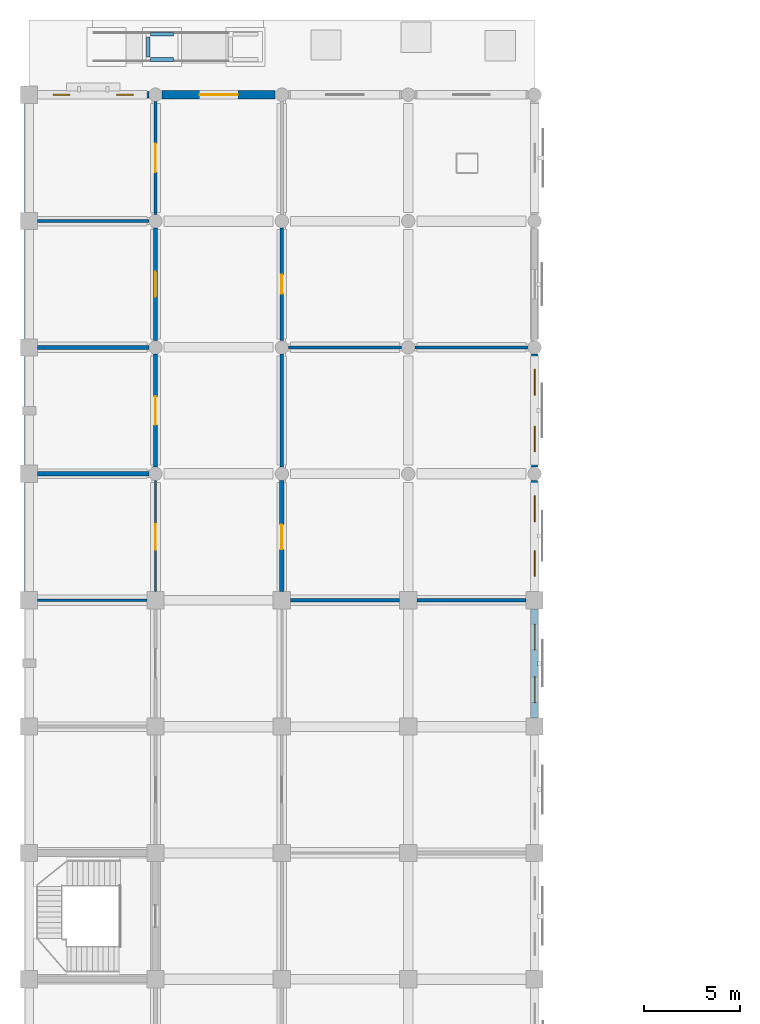
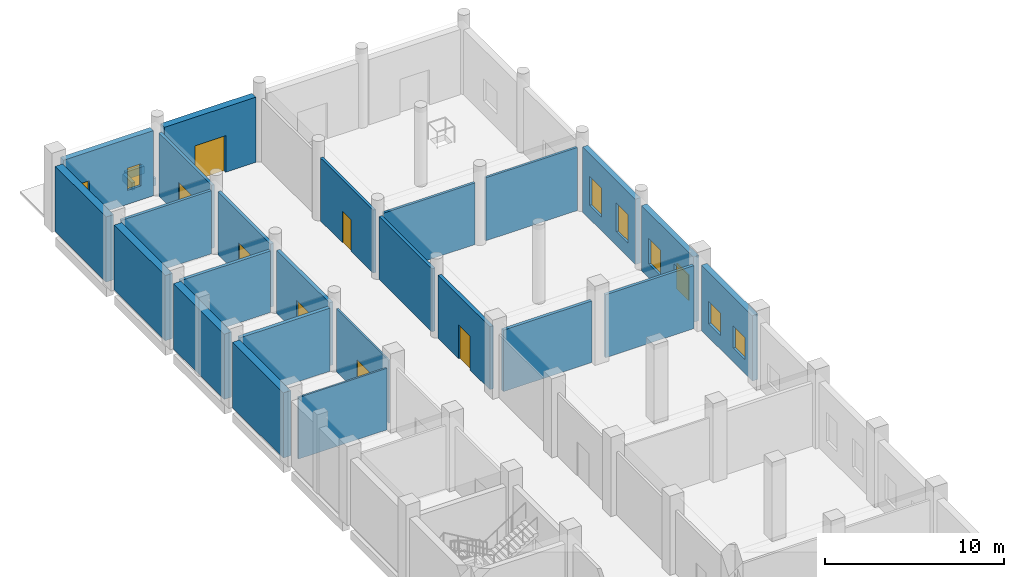
# One storey, part 17 of 28: 27 walls, 8 windows, 7 doors, 15 openings.
"""IFC4 building model written with IfcOpenShell, lengths in metres."""

from ifc_helpers import new_model, si_unit, direction, frame, frame_2d, origin, place, context, subcontext, project, spatial, rectangle, extrude, material, layer, layer_set, type_object, element, fill, save


model = new_model("IFC4")

# Units and contexts
model_context = context("Model", 3, precision=1e-05, world=origin(), true_north=direction((0.0, 1.0)))
body_context = subcontext(model_context, "Body", "Model", "MODEL_VIEW")
ifc_project = project(units=[si_unit("LENGTHUNIT", "METRE"), si_unit("AREAUNIT", "SQUARE_METRE"), si_unit("VOLUMEUNIT", "CUBIC_METRE"), si_unit("PLANEANGLEUNIT", "RADIAN"), si_unit("MASSUNIT", "GRAM", prefix="KILO")], contexts=[model_context])

# Site, building, storey
site_placement = place(None, origin())
site = spatial("IfcSite", under=ifc_project, at=site_placement, CompositionType="ELEMENT")
building_placement = place(site_placement, origin())
building = spatial("IfcBuilding", under=site, at=building_placement, Name="Rusizi Kubbe Research Institute", CompositionType="ELEMENT")
storey_placement = place(building_placement, origin())
storey = spatial("IfcBuildingStorey", under=building, at=storey_placement, Name="L00", CompositionType="ELEMENT", Elevation=0.0)

# Wall, opening, door
ifc_material_1 = material(Name="Volcanic Basalt Ashlar Masonry", Category="masonry")
ifc_layer_1 = layer(ifc_material_1, 0.43994140625)
ifc_layer_set_1 = layer_set([ifc_layer_1], Name="Volcanic Basalt Ashlar Masonry")
wall_type_1 = type_object("IfcWallType", Name="EW-01", PredefinedType="SOLIDWALL", material=ifc_layer_set_1)
wall_1_placement = place(storey_placement, frame((6.949951171875, 171.60009765625, 0.0), z_axis=(0.0, 0.0, 1.0), x_axis=(1.0, 0.0, 0.0)))
wall_1 = element("IfcWall", 1, at=wall_1_placement, inside=storey, type_object=wall_type_1, Name="Portal Vestibule Infill Wall E1", PredefinedType="SOLIDWALL", context=body_context, shape_type="SweptSolid", body=[
    extrude(rectangle(XDim=5.900146484375, YDim=0.43994140625, at=frame_2d((2.9501953125, 0.0))), origin(), (0.0, 0.0, 1.0), 4.449951171875),
])
opening_1_placement = place(wall_1_placement, frame((1.949951171875, 0.0, 0.0)))
opening_1 = element("IfcOpeningElement", 2, at=opening_1_placement, cuts=wall_1, Name="Opening D-31", PredefinedType="OPENING", context=body_context, shape_type="SweptSolid", body=[
    extrude(rectangle(XDim=2.0, YDim=2.5, at=frame_2d((1.0, 1.25))), frame((0.0, 0.22998046875, 0.0), z_axis=(0.0, -1.0, 0.0), x_axis=(1.0, 0.0, 0.0)), (0.0, 0.0, 1.0), 0.4599609375),
])
ifc_material_2 = material(Name="Insulated Steel and Laminated Safety Glass", Category="steel")
door_type_1 = type_object("IfcDoorType", Name="ED-01", OperationType="DOUBLE_DOOR_SINGLE_SWING", PredefinedType="DOOR", material=ifc_material_2)
door_1_placement = place(opening_1_placement, origin())
door_1 = element("IfcDoor", 3, at=door_1_placement, inside=storey, type_object=door_type_1, Name="Main Entrance North Street Exit Door D-31", OperationType="DOUBLE_DOOR_SINGLE_SWING", OverallHeight=2.5, OverallWidth=2.0, PredefinedType="DOOR", context=body_context, shape_type="SweptSolid", body=[
    extrude(rectangle(XDim=2.0, YDim=2.5, at=frame_2d((1.0, 1.25))), frame((0.0, 0.02490234375, 0.0), z_axis=(0.0, -1.0, 0.0), x_axis=(1.0, 0.0, 0.0)), (0.0, 0.0, 1.0), 0.050048828125),
])
fill(opening_1, door_1)

# Wall, openings, windows
ifc_material_3 = material(Name="Volcanic Basalt Ashlar Masonry", Category="masonry")
ifc_layer_2 = layer(ifc_material_3, 0.3701171875)
ifc_layer_set_2 = layer_set([ifc_layer_2], Name="Volcanic Basalt Ashlar Masonry")
wall_type_2 = type_object("IfcWallType", Name="EW-05", PredefinedType="SOLIDWALL", material=ifc_layer_set_2)
wall_2_placement = place(storey_placement, frame((26.39990234375, 139.050048828125, 0.0), z_axis=(0.0, 0.0, 1.0), x_axis=(0.0, 1.0, 0.0)))
wall_2 = element("IfcWall", 4, at=wall_2_placement, inside=storey, type_object=wall_type_2, Name="Ablaq Stone Exterior Wall L00 V4-21", PredefinedType="SOLIDWALL", context=body_context, shape_type="SweptSolid", body=[
    extrude(rectangle(XDim=5.699951171875, YDim=0.3701171875, at=frame_2d((2.85009765625, 0.0))), origin(), (0.0, 0.0, 1.0), 4.449951171875),
])
opening_2_placement = place(wall_2_placement, frame((0.800048828125, 0.0, 0.949951171875)))
opening_2 = element("IfcOpeningElement", 5, at=opening_2_placement, cuts=wall_2, Name="Opening WN-14", PredefinedType="OPENING", context=body_context, shape_type="SweptSolid", body=[
    extrude(rectangle(XDim=1.340087890625, YDim=1.52001953125, at=frame_2d((0.669921875, 0.760009765625))), frame((0.0, 0.195068359375, 0.0), z_axis=(0.0, -1.0, 0.0), x_axis=(1.0, 0.0, 0.0)), (0.0, 0.0, 1.0), 0.39013671875),
])
opening_3_placement = place(wall_2_placement, frame((3.56005859375, 0.0, 0.949951171875)))
opening_3 = element("IfcOpeningElement", 6, at=opening_3_placement, cuts=wall_2, Name="Opening WN-14", PredefinedType="OPENING", context=body_context, shape_type="SweptSolid", body=[
    extrude(rectangle(XDim=1.340087890625, YDim=1.52001953125, at=frame_2d((0.669921875, 0.760009765625))), frame((0.0, 0.195068359375, 0.0), z_axis=(0.0, -1.0, 0.0), x_axis=(1.0, 0.0, 0.0)), (0.0, 0.0, 1.0), 0.39013671875),
])
ifc_material_4 = material(Name="Aluminium Frame and Solar-Control Double Glazing", Category="glass")
window_type_1 = type_object("IfcWindowType", Name="WN-14", PartitioningType="SINGLE_PANEL", PredefinedType="WINDOW", material=ifc_material_4)
window_1_placement = place(opening_2_placement, origin())
window_1 = element("IfcWindow", 7, at=window_1_placement, inside=storey, type_object=window_type_1, Name="Casement Window WN-14 L00", OverallHeight=1.52001953125, OverallWidth=1.340087890625, PartitioningType="SINGLE_PANEL", PredefinedType="WINDOW", context=body_context, shape_type="SweptSolid", body=[
    extrude(rectangle(XDim=1.340087890625, YDim=1.52001953125, at=frame_2d((0.669921875, 0.760009765625))), frame((0.0, 0.030029296875, 0.0), z_axis=(0.0, -1.0, 0.0), x_axis=(1.0, 0.0, 0.0)), (0.0, 0.0, 1.0), 0.06005859375),
])
fill(opening_2, window_1)
window_2_placement = place(opening_3_placement, origin())
window_2 = element("IfcWindow", 8, at=window_2_placement, inside=storey, type_object=window_type_1, Name="Casement Window WN-14 L00", OverallHeight=1.52001953125, OverallWidth=1.340087890625, PartitioningType="SINGLE_PANEL", PredefinedType="WINDOW", context=body_context, shape_type="SweptSolid", body=[
    extrude(rectangle(XDim=1.340087890625, YDim=1.52001953125, at=frame_2d((0.669921875, 0.760009765625))), frame((0.0, 0.030029296875, 0.0), z_axis=(0.0, -1.0, 0.0), x_axis=(1.0, 0.0, 0.0)), (0.0, 0.0, 1.0), 0.06005859375),
])
fill(opening_3, window_2)

ifc_material_5 = material(Name="Volcanic Basalt Ashlar Masonry", Category="masonry")
ifc_layer_3 = layer(ifc_material_5, 0.35498046875)
ifc_layer_set_3 = layer_set([ifc_layer_3], Name="Volcanic Basalt Ashlar Masonry")
wall_type_3 = type_object("IfcWallType", Name="EW-06", PredefinedType="SOLIDWALL", material=ifc_layer_set_3)
wall_3_placement = place(storey_placement, frame((0.449951171875, 171.60009765625, 0.0), z_axis=(0.0, 0.0, 1.0), x_axis=(1.0, 0.0, 0.0)))
wall_3 = element("IfcWall", 9, at=wall_3_placement, inside=storey, type_object=wall_type_3, Name="Ablaq Stone Exterior Wall L00 H0-26", PredefinedType="SOLIDWALL", context=body_context, shape_type="SweptSolid", body=[
    extrude(rectangle(XDim=5.800048828125, YDim=0.35498046875, at=frame_2d((2.89990234375, 0.0))), origin(), (0.0, 0.0, 1.0), 4.449951171875),
])
opening_4_placement = place(wall_3_placement, frame((0.800048828125, 0.0, 0.949951171875)))
opening_4 = element("IfcOpeningElement", 10, at=opening_4_placement, cuts=wall_3, Name="Opening WN-02", PredefinedType="OPENING", context=body_context, shape_type="SweptSolid", body=[
    extrude(rectangle(XDim=0.8798828125, YDim=1.52001953125, at=frame_2d((0.43994140625, 0.760009765625))), frame((0.0, 0.1875, 0.0), z_axis=(0.0, -1.0, 0.0), x_axis=(1.0, 0.0, 0.0)), (0.0, 0.0, 1.0), 0.375),
])
opening_5_placement = place(wall_3_placement, frame((4.1201171875, 0.0, 0.949951171875)))
opening_5 = element("IfcOpeningElement", 11, at=opening_5_placement, cuts=wall_3, Name="Opening WN-02", PredefinedType="OPENING", context=body_context, shape_type="SweptSolid", body=[
    extrude(rectangle(XDim=0.8798828125, YDim=1.52001953125, at=frame_2d((0.43994140625, 0.760009765625))), frame((0.0, 0.1875, 0.0), z_axis=(0.0, -1.0, 0.0), x_axis=(1.0, 0.0, 0.0)), (0.0, 0.0, 1.0), 0.375),
])
ifc_material_6 = material(Name="Aluminium Frame and Solar-Control Double Glazing", Category="glass")
window_type_2 = type_object("IfcWindowType", Name="WN-02", PartitioningType="SINGLE_PANEL", PredefinedType="WINDOW", material=ifc_material_6)
window_3_placement = place(opening_4_placement, origin())
window_3 = element("IfcWindow", 12, at=window_3_placement, inside=storey, type_object=window_type_2, Name="Casement Window WN-02 L00", OverallHeight=1.52001953125, OverallWidth=0.8798828125, PartitioningType="SINGLE_PANEL", PredefinedType="WINDOW", context=body_context, shape_type="SweptSolid", body=[
    extrude(rectangle(XDim=0.8798828125, YDim=1.52001953125, at=frame_2d((0.43994140625, 0.760009765625))), frame((0.0, 0.030029296875, 0.0), z_axis=(0.0, -1.0, 0.0), x_axis=(1.0, 0.0, 0.0)), (0.0, 0.0, 1.0), 0.06005859375),
])
fill(opening_4, window_3)
window_4_placement = place(opening_5_placement, origin())
window_4 = element("IfcWindow", 13, at=window_4_placement, inside=storey, type_object=window_type_2, Name="Casement Window WN-02 L00", OverallHeight=1.52001953125, OverallWidth=0.8798828125, PartitioningType="SINGLE_PANEL", PredefinedType="WINDOW", context=body_context, shape_type="SweptSolid", body=[
    extrude(rectangle(XDim=0.8798828125, YDim=1.52001953125, at=frame_2d((0.43994140625, 0.760009765625))), frame((0.0, 0.030029296875, 0.0), z_axis=(0.0, -1.0, 0.0), x_axis=(1.0, 0.0, 0.0)), (0.0, 0.0, 1.0), 0.06005859375),
])
fill(opening_5, window_4)

wall_4_placement = place(storey_placement, frame((26.39990234375, 145.64990234375, 0.0), z_axis=(0.0, 0.0, 1.0), x_axis=(0.0, 1.0, 0.0)))
wall_4 = element("IfcWall", 14, at=wall_4_placement, inside=storey, type_object=wall_type_3, Name="Ablaq Stone Exterior Wall L00 V4-22", PredefinedType="SOLIDWALL", context=body_context, shape_type="SweptSolid", body=[
    extrude(rectangle(XDim=5.800048828125, YDim=0.35498046875, at=frame_2d((2.89990234375, 0.0))), origin(), (0.0, 0.0, 1.0), 4.449951171875),
])
opening_6_placement = place(wall_4_placement, frame((0.800048828125, 0.0, 0.949951171875)))
opening_6 = element("IfcOpeningElement", 15, at=opening_6_placement, cuts=wall_4, Name="Opening WN-15", PredefinedType="OPENING", context=body_context, shape_type="SweptSolid", body=[
    extrude(rectangle(XDim=1.340087890625, YDim=1.739990234375, at=frame_2d((0.669921875, 0.8701171875))), frame((0.0, 0.1875, 0.0), z_axis=(0.0, -1.0, 0.0), x_axis=(1.0, 0.0, 0.0)), (0.0, 0.0, 1.0), 0.375),
])
opening_7_placement = place(wall_4_placement, frame((3.659912109375, 0.0, 0.949951171875)))
opening_7 = element("IfcOpeningElement", 16, at=opening_7_placement, cuts=wall_4, Name="Opening WN-15", PredefinedType="OPENING", context=body_context, shape_type="SweptSolid", body=[
    extrude(rectangle(XDim=1.340087890625, YDim=1.739990234375, at=frame_2d((0.669921875, 0.8701171875))), frame((0.0, 0.1875, 0.0), z_axis=(0.0, -1.0, 0.0), x_axis=(1.0, 0.0, 0.0)), (0.0, 0.0, 1.0), 0.375),
])
ifc_material_7 = material(Name="Aluminium Frame and Solar-Control Double Glazing", Category="glass")
window_type_3 = type_object("IfcWindowType", Name="WN-15", PartitioningType="SINGLE_PANEL", PredefinedType="WINDOW", material=ifc_material_7)
window_5_placement = place(opening_6_placement, origin())
window_5 = element("IfcWindow", 17, at=window_5_placement, inside=storey, type_object=window_type_3, Name="Casement Window WN-15 L00", OverallHeight=1.739990234375, OverallWidth=1.340087890625, PartitioningType="SINGLE_PANEL", PredefinedType="WINDOW", context=body_context, shape_type="SweptSolid", body=[
    extrude(rectangle(XDim=1.340087890625, YDim=1.739990234375, at=frame_2d((0.669921875, 0.8701171875))), frame((0.0, 0.030029296875, 0.0), z_axis=(0.0, -1.0, 0.0), x_axis=(1.0, 0.0, 0.0)), (0.0, 0.0, 1.0), 0.06005859375),
])
fill(opening_6, window_5)
window_6_placement = place(opening_7_placement, origin())
window_6 = element("IfcWindow", 18, at=window_6_placement, inside=storey, type_object=window_type_3, Name="Casement Window WN-15 L00", OverallHeight=1.739990234375, OverallWidth=1.340087890625, PartitioningType="SINGLE_PANEL", PredefinedType="WINDOW", context=body_context, shape_type="SweptSolid", body=[
    extrude(rectangle(XDim=1.340087890625, YDim=1.739990234375, at=frame_2d((0.669921875, 0.8701171875))), frame((0.0, 0.030029296875, 0.0), z_axis=(0.0, -1.0, 0.0), x_axis=(1.0, 0.0, 0.0)), (0.0, 0.0, 1.0), 0.06005859375),
])
fill(opening_7, window_6)

ifc_material_8 = material(Name="Volcanic Basalt Ashlar Masonry", Category="masonry")
ifc_layer_4 = layer(ifc_material_8, 0.340087890625)
ifc_layer_set_4 = layer_set([ifc_layer_4], Name="Volcanic Basalt Ashlar Masonry")
wall_type_4 = type_object("IfcWallType", Name="EW-07", PredefinedType="SOLIDWALL", material=ifc_layer_set_4)
wall_5_placement = place(storey_placement, frame((26.39990234375, 152.14990234375, 0.0), z_axis=(0.0, 0.0, 1.0), x_axis=(0.0, 1.0, 0.0)))
wall_5 = element("IfcWall", 19, at=wall_5_placement, inside=storey, type_object=wall_type_4, Name="Ablaq Stone Exterior Wall L00 V4-23", PredefinedType="SOLIDWALL", context=body_context, shape_type="SweptSolid", body=[
    extrude(rectangle(XDim=5.900146484375, YDim=0.340087890625, at=frame_2d((2.9501953125, 0.0))), origin(), (0.0, 0.0, 1.0), 4.449951171875),
])
opening_8_placement = place(wall_5_placement, frame((0.800048828125, 0.0, 0.949951171875)))
opening_8 = element("IfcOpeningElement", 20, at=opening_8_placement, cuts=wall_5, Name="Opening WN-16", PredefinedType="OPENING", context=body_context, shape_type="SweptSolid", body=[
    extrude(rectangle(XDim=1.340087890625, YDim=1.9599609375, at=frame_2d((0.669921875, 0.97998046875))), frame((0.0, 0.179931640625, 0.0), z_axis=(0.0, -1.0, 0.0), x_axis=(1.0, 0.0, 0.0)), (0.0, 0.0, 1.0), 0.360107421875),
])
opening_9_placement = place(wall_5_placement, frame((3.760009765625, 0.0, 0.949951171875)))
opening_9 = element("IfcOpeningElement", 21, at=opening_9_placement, cuts=wall_5, Name="Opening WN-16", PredefinedType="OPENING", context=body_context, shape_type="SweptSolid", body=[
    extrude(rectangle(XDim=1.340087890625, YDim=1.9599609375, at=frame_2d((0.669921875, 0.97998046875))), frame((0.0, 0.179931640625, 0.0), z_axis=(0.0, -1.0, 0.0), x_axis=(1.0, 0.0, 0.0)), (0.0, 0.0, 1.0), 0.360107421875),
])
ifc_material_9 = material(Name="Aluminium Frame and Solar-Control Double Glazing", Category="glass")
window_type_4 = type_object("IfcWindowType", Name="WN-16", PartitioningType="SINGLE_PANEL", PredefinedType="WINDOW", material=ifc_material_9)
window_7_placement = place(opening_8_placement, origin())
window_7 = element("IfcWindow", 22, at=window_7_placement, inside=storey, type_object=window_type_4, Name="Casement Window WN-16 L00", OverallHeight=1.9599609375, OverallWidth=1.340087890625, PartitioningType="SINGLE_PANEL", PredefinedType="WINDOW", context=body_context, shape_type="SweptSolid", body=[
    extrude(rectangle(XDim=1.340087890625, YDim=1.9599609375, at=frame_2d((0.669921875, 0.97998046875))), frame((0.0, 0.030029296875, 0.0), z_axis=(0.0, -1.0, 0.0), x_axis=(1.0, 0.0, 0.0)), (0.0, 0.0, 1.0), 0.06005859375),
])
fill(opening_8, window_7)
window_8_placement = place(opening_9_placement, origin())
window_8 = element("IfcWindow", 23, at=window_8_placement, inside=storey, type_object=window_type_4, Name="Casement Window WN-16 L00", OverallHeight=1.9599609375, OverallWidth=1.340087890625, PartitioningType="SINGLE_PANEL", PredefinedType="WINDOW", context=body_context, shape_type="SweptSolid", body=[
    extrude(rectangle(XDim=1.340087890625, YDim=1.9599609375, at=frame_2d((0.669921875, 0.97998046875))), frame((0.0, 0.030029296875, 0.0), z_axis=(0.0, -1.0, 0.0), x_axis=(1.0, 0.0, 0.0)), (0.0, 0.0, 1.0), 0.06005859375),
])
fill(opening_9, window_8)

# Wall
ifc_material_10 = material(Name="Concrete Blockwork Fire Partition", Category="masonry")
ifc_layer_5 = layer(ifc_material_10, 0.22509765625)
ifc_layer_set_5 = layer_set([ifc_layer_5], Name="Concrete Blockwork Fire Partition")
wall_type_5 = type_object("IfcWallType", Name="IW-01", PredefinedType="PARTITIONING", material=ifc_layer_set_5)
wall_6_placement = place(storey_placement, frame((0.449951171875, 151.800048828125, 0.0), z_axis=(0.0, 0.0, 1.0), x_axis=(1.0, 0.0, 0.0)))
element("IfcWall", 24, at=wall_6_placement, inside=storey, type_object=wall_type_5, Name="Interior Partition Wall L00 H0-23", PredefinedType="PARTITIONING", context=body_context, shape_type="SweptSolid", body=[
    extrude(rectangle(XDim=5.800048828125, YDim=0.22509765625, at=frame_2d((2.89990234375, 0.0))), origin(), (0.0, 0.0, 1.0), 4.300048828125),
])

# Wall, opening, door
wall_7_placement = place(storey_placement, frame((6.60009765625, 152.14990234375, 0.0), z_axis=(0.0, 0.0, 1.0), x_axis=(0.0, 1.0, 0.0)))
wall_7 = element("IfcWall", 25, at=wall_7_placement, inside=storey, type_object=wall_type_5, Name="Interior Partition Wall L00 V1-23", PredefinedType="PARTITIONING", context=body_context, shape_type="SweptSolid", body=[
    extrude(rectangle(XDim=5.900146484375, YDim=0.22509765625, at=frame_2d((2.9501953125, 0.0))), origin(), (0.0, 0.0, 1.0), 4.300048828125),
])
opening_10_placement = place(wall_7_placement, frame((2.2099609375, 0.0, 0.0)))
opening_10 = element("IfcOpeningElement", 26, at=opening_10_placement, cuts=wall_7, Name="Opening LD-08", PredefinedType="OPENING", context=body_context, shape_type="SweptSolid", body=[
    extrude(rectangle(XDim=1.47998046875, YDim=2.25, at=frame_2d((0.739990234375, 1.125))), frame((0.0, 0.12255859375, 0.0), z_axis=(0.0, -1.0, 0.0), x_axis=(1.0, 0.0, 0.0)), (0.0, 0.0, 1.0), 0.2451171875),
])
ifc_material_11 = material(Name="Brushed Stainless Steel Sliding Door", Category="steel")
door_type_2 = type_object("IfcDoorType", Name="LD-08", OperationType="DOUBLE_DOOR_SLIDING", PredefinedType="USERDEFINED", material=ifc_material_11)
door_2_placement = place(opening_10_placement, origin())
door_2 = element("IfcDoor", 27, at=door_2_placement, inside=storey, type_object=door_type_2, Name="Door to ISO-6 Clean Room Suite (L00-CR-23)", ObjectType="SLIDING DOOR", OperationType="DOUBLE_DOOR_SLIDING", OverallHeight=2.25, OverallWidth=1.47998046875, PredefinedType="USERDEFINED", context=body_context, shape_type="SweptSolid", body=[
    extrude(rectangle(XDim=1.47998046875, YDim=2.25, at=frame_2d((0.739990234375, 1.125))), frame((0.0, 0.02490234375, 0.0), z_axis=(0.0, -1.0, 0.0), x_axis=(1.0, 0.0, 0.0)), (0.0, 0.0, 1.0), 0.050048828125),
])
fill(opening_10, door_2)

wall_8_placement = place(storey_placement, frame((13.199951171875, 145.64990234375, 0.0), z_axis=(0.0, 0.0, 1.0), x_axis=(0.0, 1.0, 0.0)))
wall_8 = element("IfcWall", 28, at=wall_8_placement, inside=storey, type_object=wall_type_5, Name="Interior Partition Wall L00 V2-22", PredefinedType="PARTITIONING", context=body_context, shape_type="SweptSolid", body=[
    extrude(rectangle(XDim=5.800048828125, YDim=0.22509765625, at=frame_2d((2.89990234375, 0.0))), origin(), (0.0, 0.0, 1.0), 4.300048828125),
])
opening_11_placement = place(wall_8_placement, frame((2.199951171875, 0.0, 0.0)))
opening_11 = element("IfcOpeningElement", 29, at=opening_11_placement, cuts=wall_8, Name="Opening D-14", PredefinedType="OPENING", context=body_context, shape_type="SweptSolid", body=[
    extrude(rectangle(XDim=1.300048828125, YDim=2.300048828125, at=frame_2d((0.64990234375, 1.14990234375))), frame((0.0, 0.12255859375, 0.0), z_axis=(0.0, -1.0, 0.0), x_axis=(1.0, 0.0, 0.0)), (0.0, 0.0, 1.0), 0.2451171875),
])
ifc_material_12 = material(Name="Fire-Rated Steel Frame and Acoustic Timber Leaf", Category="wood")
door_type_3 = type_object("IfcDoorType", Name="ID-LAB-130", OperationType="NOTDEFINED", PredefinedType="DOOR", material=ifc_material_12)
door_3_placement = place(opening_11_placement, origin())
door_3 = element("IfcDoor", 30, at=door_3_placement, inside=storey, type_object=door_type_3, Name="Door to Computational Dry Laboratory (L00-NW-10)", OperationType="SINGLE_SWING_RIGHT", OverallHeight=2.300048828125, OverallWidth=1.300048828125, PredefinedType="DOOR", context=body_context, shape_type="SweptSolid", body=[
    extrude(rectangle(XDim=1.300048828125, YDim=2.300048828125, at=frame_2d((0.64990234375, 1.14990234375))), frame((0.0, 0.02490234375, 0.0), z_axis=(0.0, -1.0, 0.0), x_axis=(1.0, 0.0, 0.0)), (0.0, 0.0, 1.0), 0.050048828125),
])
fill(opening_11, door_3)

# Wall
ifc_material_13 = material(Name="Insulated Cleanroom Partition", Category="masonry")
ifc_layer_6 = layer(ifc_material_13, 0.195068359375)
ifc_layer_set_6 = layer_set([ifc_layer_6], Name="Insulated Cleanroom Partition")
wall_type_6 = type_object("IfcWallType", Name="IW-02", PredefinedType="PARTITIONING", material=ifc_layer_set_6)
wall_9_placement = place(storey_placement, frame((0.449951171875, 158.39990234375, 0.0), z_axis=(0.0, 0.0, 1.0), x_axis=(1.0, 0.0, 0.0)))
element("IfcWall", 31, at=wall_9_placement, inside=storey, type_object=wall_type_6, Name="Interior Partition Wall L00 H0-24", PredefinedType="PARTITIONING", context=body_context, shape_type="SweptSolid", body=[
    extrude(rectangle(XDim=5.800048828125, YDim=0.195068359375, at=frame_2d((2.89990234375, 0.0))), origin(), (0.0, 0.0, 1.0), 4.199951171875),
])

# Wall, opening, door
wall_10_placement = place(storey_placement, frame((6.60009765625, 158.75, 0.0), z_axis=(0.0, 0.0, 1.0), x_axis=(0.0, 1.0, 0.0)))
wall_10 = element("IfcWall", 32, at=wall_10_placement, inside=storey, type_object=wall_type_6, Name="Interior Partition Wall L00 V1-24", PredefinedType="PARTITIONING", context=body_context, shape_type="SweptSolid", body=[
    extrude(rectangle(XDim=5.89990234375, YDim=0.195068359375, at=frame_2d((2.949951171875, 0.0))), origin(), (0.0, 0.0, 1.0), 4.300048828125),
])
opening_12_placement = place(wall_10_placement, frame((2.2900390625, 0.0, 0.0)))
opening_12 = element("IfcOpeningElement", 33, at=opening_12_placement, cuts=wall_10, Name="Opening LD-07", PredefinedType="OPENING", context=body_context, shape_type="SweptSolid", body=[
    extrude(rectangle(XDim=1.320068359375, YDim=2.199951171875, at=frame_2d((0.66015625, 1.10009765625))), frame((0.0, 0.107421875, 0.0), z_axis=(0.0, -1.0, 0.0), x_axis=(1.0, 0.0, 0.0)), (0.0, 0.0, 1.0), 0.215087890625),
])
ifc_material_14 = material(Name="Brushed Stainless Steel Sliding Door", Category="steel")
door_type_4 = type_object("IfcDoorType", Name="LD-07", OperationType="DOUBLE_DOOR_SLIDING", PredefinedType="USERDEFINED", material=ifc_material_14)
door_4_placement = place(opening_12_placement, origin())
door_4 = element("IfcDoor", 34, at=door_4_placement, inside=storey, type_object=door_type_4, Name="Door to Clean Room Gowning Airlock (L00-ALK-24)", ObjectType="SLIDING DOOR", OperationType="DOUBLE_DOOR_SLIDING", OverallHeight=2.199951171875, OverallWidth=1.320068359375, PredefinedType="USERDEFINED", context=body_context, shape_type="SweptSolid", body=[
    extrude(rectangle(XDim=1.320068359375, YDim=2.199951171875, at=frame_2d((0.66015625, 1.10009765625))), frame((0.0, 0.02490234375, 0.0), z_axis=(0.0, -1.0, 0.0), x_axis=(1.0, 0.0, 0.0)), (0.0, 0.0, 1.0), 0.050048828125),
])
fill(opening_12, door_4)

# Walls
wall_11_placement = place(storey_placement, frame((13.199951171875, 152.14990234375, 0.0), z_axis=(0.0, 0.0, 1.0), x_axis=(0.0, 1.0, 0.0)))
element("IfcWall", 35, at=wall_11_placement, inside=storey, type_object=wall_type_6, Name="Interior Partition Wall L00 V2-23", PredefinedType="PARTITIONING", context=body_context, shape_type="SweptSolid", body=[
    extrude(rectangle(XDim=5.900146484375, YDim=0.195068359375, at=frame_2d((2.9501953125, 0.0))), origin(), (0.0, 0.0, 1.0), 4.300048828125),
])
wall_12_placement = place(storey_placement, frame((13.64990234375, 145.199951171875, 0.0), z_axis=(0.0, 0.0, 1.0), x_axis=(1.0, 0.0, 0.0)))
element("IfcWall", 36, at=wall_12_placement, inside=storey, type_object=wall_type_6, Name="Interior Partition Wall L00 H2-22", PredefinedType="PARTITIONING", context=body_context, shape_type="SweptSolid", body=[
    extrude(rectangle(XDim=5.7001953125, YDim=0.195068359375, at=frame_2d((2.85009765625, 0.0))), origin(), (0.0, 0.0, 1.0), 4.199951171875),
])
ifc_material_15 = material(Name="Acoustic Laboratory Partition", Category="masonry")
ifc_layer_7 = layer(ifc_material_15, 0.175048828125)
ifc_layer_set_7 = layer_set([ifc_layer_7], Name="Acoustic Laboratory Partition")
wall_type_7 = type_object("IfcWallType", Name="IW-03", PredefinedType="PARTITIONING", material=ifc_layer_set_7)
wall_13_placement = place(storey_placement, frame((0.449951171875, 165.0, 0.0), z_axis=(0.0, 0.0, 1.0), x_axis=(1.0, 0.0, 0.0)))
element("IfcWall", 37, at=wall_13_placement, inside=storey, type_object=wall_type_7, Name="Interior Partition Wall L00 H0-25", PredefinedType="PARTITIONING", context=body_context, shape_type="SweptSolid", body=[
    extrude(rectangle(XDim=5.800048828125, YDim=0.175048828125, at=frame_2d((2.89990234375, 0.0))), origin(), (0.0, 0.0, 1.0), 4.300048828125),
])

# Wall, opening, door
wall_14_placement = place(storey_placement, frame((6.60009765625, 165.35009765625, 0.0), z_axis=(0.0, 0.0, 1.0), x_axis=(0.0, 1.0, 0.0)))
wall_14 = element("IfcWall", 38, at=wall_14_placement, inside=storey, type_object=wall_type_7, Name="Interior Partition Wall L00 V1-25", PredefinedType="PARTITIONING", context=body_context, shape_type="SweptSolid", body=[
    extrude(rectangle(XDim=5.89990234375, YDim=0.175048828125, at=frame_2d((2.949951171875, 0.0))), origin(), (0.0, 0.0, 1.0), 4.300048828125),
])
opening_13_placement = place(wall_14_placement, frame((2.2099609375, 0.0, 0.0)))
opening_13 = element("IfcOpeningElement", 39, at=opening_13_placement, cuts=wall_14, Name="Opening LD-08", PredefinedType="OPENING", context=body_context, shape_type="SweptSolid", body=[
    extrude(rectangle(XDim=1.47998046875, YDim=2.25, at=frame_2d((0.739990234375, 1.125))), frame((0.0, 0.097412109375, 0.0), z_axis=(0.0, -1.0, 0.0), x_axis=(1.0, 0.0, 0.0)), (0.0, 0.0, 1.0), 0.195068359375),
])
door_5_placement = place(opening_13_placement, origin())
door_5 = element("IfcDoor", 40, at=door_5_placement, inside=storey, type_object=door_type_2, Name="Door to ISO-6 Clean Room Suite (L00-CR-25)", ObjectType="SLIDING DOOR", OperationType="DOUBLE_DOOR_SLIDING", OverallHeight=2.25, OverallWidth=1.47998046875, PredefinedType="USERDEFINED", context=body_context, shape_type="SweptSolid", body=[
    extrude(rectangle(XDim=1.47998046875, YDim=2.25, at=frame_2d((0.739990234375, 1.125))), frame((0.0, 0.02490234375, 0.0), z_axis=(0.0, -1.0, 0.0), x_axis=(1.0, 0.0, 0.0)), (0.0, 0.0, 1.0), 0.050048828125),
])
fill(opening_13, door_5)

wall_15_placement = place(storey_placement, frame((13.199951171875, 158.75, 0.0), z_axis=(0.0, 0.0, 1.0), x_axis=(0.0, 1.0, 0.0)))
wall_15 = element("IfcWall", 41, at=wall_15_placement, inside=storey, type_object=wall_type_7, Name="Interior Partition Wall L00 V2-24", PredefinedType="PARTITIONING", context=body_context, shape_type="SweptSolid", body=[
    extrude(rectangle(XDim=5.89990234375, YDim=0.175048828125, at=frame_2d((2.949951171875, 0.0))), origin(), (0.0, 0.0, 1.0), 4.300048828125),
])
opening_14_placement = place(wall_15_placement, frame((2.4599609375, 0.0, 0.0)))
opening_14 = element("IfcOpeningElement", 42, at=opening_14_placement, cuts=wall_15, Name="Opening D-20", PredefinedType="OPENING", context=body_context, shape_type="SweptSolid", body=[
    extrude(rectangle(XDim=0.97998046875, YDim=2.14990234375, at=frame_2d((0.489990234375, 1.074951171875))), frame((0.0, 0.097412109375, 0.0), z_axis=(0.0, -1.0, 0.0), x_axis=(1.0, 0.0, 0.0)), (0.0, 0.0, 1.0), 0.195068359375),
])
ifc_material_16 = material(Name="Fire-Rated Steel Frame and Acoustic Timber Leaf", Category="wood")
door_type_5 = type_object("IfcDoorType", Name="ID-OFF-980", OperationType="NOTDEFINED", PredefinedType="DOOR", material=ifc_material_16)
door_6_placement = place(opening_14_placement, origin())
door_6 = element("IfcDoor", 43, at=door_6_placement, inside=storey, type_object=door_type_5, Name="Door to Write-up Office (L00-NW-11)", OperationType="SINGLE_SWING_LEFT", OverallHeight=2.14990234375, OverallWidth=0.97998046875, PredefinedType="DOOR", context=body_context, shape_type="SweptSolid", body=[
    extrude(rectangle(XDim=0.97998046875, YDim=2.14990234375, at=frame_2d((0.489990234375, 1.074951171875))), frame((0.0, 0.02490234375, 0.0), z_axis=(0.0, -1.0, 0.0), x_axis=(1.0, 0.0, 0.0)), (0.0, 0.0, 1.0), 0.050048828125),
])
fill(opening_14, door_6)

# Walls
wall_16_placement = place(storey_placement, frame((20.25, 145.199951171875, 0.0), z_axis=(0.0, 0.0, 1.0), x_axis=(1.0, 0.0, 0.0)))
element("IfcWall", 44, at=wall_16_placement, inside=storey, type_object=wall_type_7, Name="Interior Partition Wall L00 H3-22", PredefinedType="PARTITIONING", context=body_context, shape_type="SweptSolid", body=[
    extrude(rectangle(XDim=5.699951171875, YDim=0.175048828125, at=frame_2d((2.85009765625, 0.0))), origin(), (0.0, 0.0, 1.0), 4.300048828125),
])
ifc_material_17 = material(Name="Fire-Rated Corridor Partition", Category="masonry")
ifc_layer_8 = layer(ifc_material_17, 0.155029296875)
ifc_layer_set_8 = layer_set([ifc_layer_8], Name="Fire-Rated Corridor Partition")
wall_type_8 = type_object("IfcWallType", Name="IW-04", PredefinedType="PARTITIONING", material=ifc_layer_set_8)
wall_17_placement = place(storey_placement, frame((13.550048828125, 158.39990234375, 0.0), z_axis=(0.0, 0.0, 1.0), x_axis=(1.0, 0.0, 0.0)))
element("IfcWall", 45, at=wall_17_placement, inside=storey, type_object=wall_type_8, Name="Interior Partition Wall L00 H2-24", PredefinedType="PARTITIONING", context=body_context, shape_type="SweptSolid", body=[
    extrude(rectangle(XDim=5.89990234375, YDim=0.155029296875, at=frame_2d((2.949951171875, 0.0))), origin(), (0.0, 0.0, 1.0), 4.199951171875),
])
ifc_material_18 = material(Name="Write-up Glazed Acoustic Partition", Category="masonry")
ifc_layer_9 = layer(ifc_material_18, 0.139892578125)
ifc_layer_set_9 = layer_set([ifc_layer_9], Name="Write-up Glazed Acoustic Partition")
wall_type_9 = type_object("IfcWallType", Name="IW-05", PredefinedType="PARTITIONING", material=ifc_layer_set_9)
wall_18_placement = place(storey_placement, frame((20.14990234375, 158.39990234375, 0.0), z_axis=(0.0, 0.0, 1.0), x_axis=(1.0, 0.0, 0.0)))
element("IfcWall", 46, at=wall_18_placement, inside=storey, type_object=wall_type_9, Name="Interior Partition Wall L00 H3-24", PredefinedType="PARTITIONING", context=body_context, shape_type="SweptSolid", body=[
    extrude(rectangle(XDim=5.900146484375, YDim=0.139892578125, at=frame_2d((2.9501953125, 0.0))), origin(), (0.0, 0.0, 1.0), 4.300048828125),
])
ifc_material_19 = material(Name="Sub-Suite Fire Partition", Category="masonry")
ifc_layer_10 = layer(ifc_material_19, 0.110107421875)
ifc_layer_set_10 = layer_set([ifc_layer_10], Name="Sub-Suite Fire Partition")
wall_type_10 = type_object("IfcWallType", Name="IW-07", PredefinedType="PARTITIONING", material=ifc_layer_set_10)
wall_19_placement = place(storey_placement, frame((0.449951171875, 145.199951171875, 0.0), z_axis=(0.0, 0.0, 1.0), x_axis=(1.0, 0.0, 0.0)))
element("IfcWall", 47, at=wall_19_placement, inside=storey, type_object=wall_type_10, Name="Interior Partition Wall L00 H0-22", PredefinedType="PARTITIONING", context=body_context, shape_type="SweptSolid", body=[
    extrude(rectangle(XDim=5.699951171875, YDim=0.110107421875, at=frame_2d((2.85009765625, 0.0))), origin(), (0.0, 0.0, 1.0), 4.199951171875),
])

# Wall, opening, door
wall_20_placement = place(storey_placement, frame((6.60009765625, 145.64990234375, 0.0), z_axis=(0.0, 0.0, 1.0), x_axis=(0.0, 1.0, 0.0)))
wall_20 = element("IfcWall", 48, at=wall_20_placement, inside=storey, type_object=wall_type_10, Name="Interior Partition Wall L00 V1-22", PredefinedType="PARTITIONING", context=body_context, shape_type="SweptSolid", body=[
    extrude(rectangle(XDim=5.800048828125, YDim=0.110107421875, at=frame_2d((2.89990234375, 0.0))), origin(), (0.0, 0.0, 1.0), 4.300048828125),
])
opening_15_placement = place(wall_20_placement, frame((2.18994140625, 0.0, 0.0)))
opening_15 = element("IfcOpeningElement", 49, at=opening_15_placement, cuts=wall_20, Name="Opening LD-07", PredefinedType="OPENING", context=body_context, shape_type="SweptSolid", body=[
    extrude(rectangle(XDim=1.320068359375, YDim=2.199951171875, at=frame_2d((0.66015625, 1.10009765625))), frame((0.0, 0.06494140625, 0.0), z_axis=(0.0, -1.0, 0.0), x_axis=(1.0, 0.0, 0.0)), (0.0, 0.0, 1.0), 0.130126953125),
])
door_7_placement = place(opening_15_placement, origin())
door_7 = element("IfcDoor", 50, at=door_7_placement, inside=storey, type_object=door_type_4, Name="Door to Clean Room Gowning Airlock (L00-ALK-22)", ObjectType="SLIDING DOOR", OperationType="DOUBLE_DOOR_SLIDING", OverallHeight=2.199951171875, OverallWidth=1.320068359375, PredefinedType="USERDEFINED", context=body_context, shape_type="SweptSolid", body=[
    extrude(rectangle(XDim=1.320068359375, YDim=2.199951171875, at=frame_2d((0.66015625, 1.10009765625))), frame((0.0, 0.02490234375, 0.0), z_axis=(0.0, -1.0, 0.0), x_axis=(1.0, 0.0, 0.0)), (0.0, 0.0, 1.0), 0.050048828125),
])
fill(opening_15, door_7)

# Walls
ifc_material_20 = material(Name="Concrete C40/50", Category="concrete")
ifc_layer_11 = layer(ifc_material_20, 0.47998046875)
ifc_layer_set_11 = layer_set([ifc_layer_11], Name="Concrete C40/50")
wall_type_11 = type_object("IfcWallType", Name="PW-01", PredefinedType="SOLIDWALL", material=ifc_layer_set_11)
wall_21_placement = place(storey_placement, frame((0.0, 145.64990234375, 0.0), z_axis=(0.0, 0.0, 1.0), x_axis=(0.0, 1.0, 0.0)))
element("IfcWall", 51, at=wall_21_placement, inside=storey, type_object=wall_type_11, Name="Blind Party Wall L00 V0-22", PredefinedType="SOLIDWALL", context=body_context, shape_type="SweptSolid", body=[
    extrude(rectangle(XDim=5.7001953125, YDim=0.47998046875, at=frame_2d((2.85009765625, 0.0))), origin(), (0.0, 0.0, 1.0), 4.449951171875),
])
for number, where, z_axis, x_axis, name in (
    (52, (0.0, 152.25, 0.0), (0.0, 0.0, 1.0), (0.0, 1.0, 0.0), "Blind Party Wall L00 V0-23"),
    (53, (0.0, 158.85009765625, 0.0), (0.0, 0.0, 1.0), (0.0, 1.0, 0.0), "Blind Party Wall L00 V0-24"),
    (54, (0.0, 165.449951171875, 0.0), (0.0, 0.0, 1.0), (0.0, 1.0, 0.0), "Blind Party Wall L00 V0-25"),
):
    element("IfcWall", number, at=place(storey_placement, frame(where, z_axis=z_axis, x_axis=x_axis)), inside=storey, type_object=wall_type_11, Name=name, PredefinedType="SOLIDWALL", context=body_context, shape_type="SweptSolid", body=[
        extrude(rectangle(XDim=5.699951171875, YDim=0.47998046875, at=frame_2d((2.85009765625, 0.0))), origin(), (0.0, 0.0, 1.0), 4.449951171875),
    ])
ifc_material_21 = material(Name="Concrete C40/50", Category="concrete")
ifc_layer_12 = layer(ifc_material_21, 0.199951171875)
ifc_layer_set_12 = layer_set([ifc_layer_12], Name="Concrete C40/50")
wall_type_12 = type_object("IfcWallType", Name="RW-STEP200", PredefinedType="SOLIDWALL", material=ifc_layer_set_12)
for number, where, z_axis, x_axis, name in (
    (55, (6.340087890625, 173.43994140625, -0.89990234375), (0.0, 0.0, 1.0), (1.0, 0.0, 0.0), "Ramp Landing Plinth Wall RAMP-NORTH-01-MID-A"),
    (56, (6.340087890625, 174.760009765625, -0.89990234375), (0.0, 0.0, 1.0), (1.0, 0.0, 0.0), "Ramp Landing Plinth Wall RAMP-NORTH-01-MID-B"),
):
    element("IfcWall", number, at=place(storey_placement, frame(where, z_axis=z_axis, x_axis=x_axis)), inside=storey, type_object=wall_type_12, Name=name, PredefinedType="SOLIDWALL", context=body_context, shape_type="SweptSolid", body=[
        extrude(rectangle(XDim=1.199951171875, YDim=0.199951171875, at=frame_2d((0.60009765625, 0.0))), origin(), (0.0, 0.0, 1.0), 0.510009765625),
    ])
wall_22_placement = place(storey_placement, frame((6.219970703125, 173.580078125, -0.89990234375), z_axis=(0.0, 0.0, 1.0), x_axis=(0.0, 1.0, 0.0)))
element("IfcWall", 57, at=wall_22_placement, inside=storey, type_object=wall_type_12, Name="Ramp Landing Plinth Wall RAMP-NORTH-01-MID-C", PredefinedType="SOLIDWALL", context=body_context, shape_type="SweptSolid", body=[
    extrude(rectangle(XDim=1.0400390625, YDim=0.199951171875, at=frame_2d((0.52001953125, 0.0))), origin(), (0.0, 0.0, 1.0), 0.510009765625),
])

save(model, "model.ifc")
